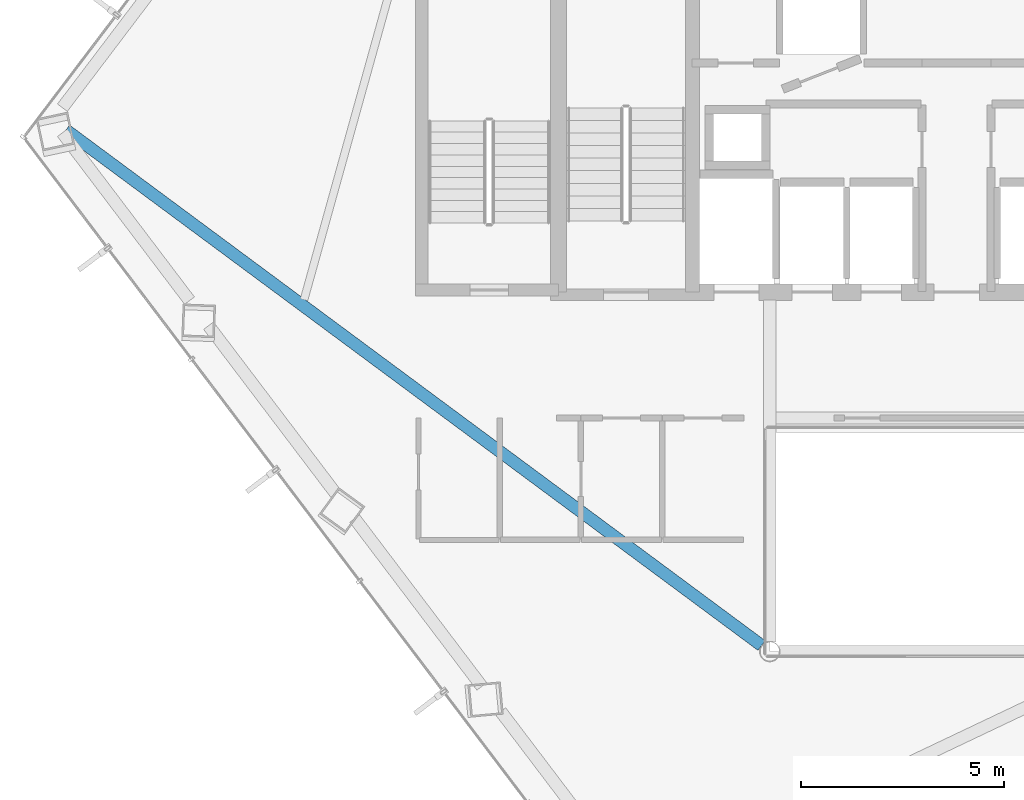
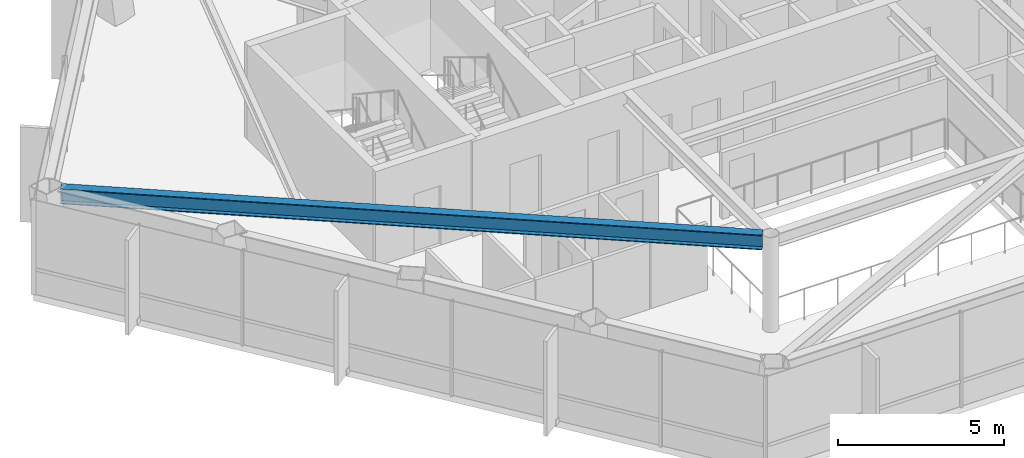
# One storey, part 5 of 29: 1 beam.
"""IFC4 building model written with IfcOpenShell, lengths in metres."""

import ifcopenshell
import ifcopenshell.guid

model = None  # the IFC model being written
_history = None  # IfcOwnerHistory: only IFC2X3 demands one
_inside = {}  # id of a spatial element -> (the spatial element, [elements in it])
_under = {}  # id of a project, library or spatial element -> (it, [spatial elements below it])
_declared = {}  # id of a project -> (the project, [libraries it declares])
_typed = {}  # id of a type object -> (the type object, [elements of that type])
_made_of = {}  # id of a material, layer set ... -> (it, [elements and type objects made of it])


def new_model(schema):
    """Start an empty IFC model of exactly this schema.

    Asked for "IFC4X3", IfcOpenShell would pick the latest addendum, in which some entities
    have other attributes; the version numbers below select the first issue.
    IFC2X3 requires an IfcOwnerHistory on every rooted entity: one is made here for all.
    """
    global model, _history
    if schema == "IFC4X3":
        model = ifcopenshell.file(schema_version=(4, 3, 0, 0))
    else:
        model = ifcopenshell.file(schema=schema)
    _inside.clear()
    _under.clear()
    _declared.clear()
    _typed.clear()
    _made_of.clear()
    _history = None
    if model.schema == "IFC2X3":
        org = make("IfcOrganization", Name="unknown")
        user = make(
            "IfcPersonAndOrganization",
            ThePerson=make("IfcPerson", FamilyName="unknown"),
            TheOrganization=org,
        )
        app = make(
            "IfcApplication",
            ApplicationDeveloper=org,
            Version="unknown",
            ApplicationFullName="unknown",
            ApplicationIdentifier="unknown",
        )
        _history = make(
            "IfcOwnerHistory",
            OwningUser=user,
            OwningApplication=app,
            ChangeAction="ADDED",
            CreationDate=0,
        )
    return model


def make(cls, **values):
    """One entity of the class cls with the attributes given. An attribute that is None is left unset."""
    return model.create_entity(
        cls, **{name: value for name, value in values.items() if value is not None}
    )


def rooted(cls, **values):
    """An entity with a GlobalId (a new one), such as an element, a storey or a relation."""
    return make(cls, GlobalId=ifcopenshell.guid.new(), OwnerHistory=_history, **values)


def si_unit(unit_type, name, prefix=None):
    """IfcSIUnit, for example si_unit("LENGTHUNIT", "METRE", prefix="MILLI")."""
    return make("IfcSIUnit", UnitType=unit_type, Prefix=prefix, Name=name)


def assignment(units):
    """IfcUnitAssignment: the units of a project."""
    return None if units is None else make("IfcUnitAssignment", Units=units)


def point(xyz):
    """IfcCartesianPoint."""
    return None if xyz is None else make("IfcCartesianPoint", Coordinates=xyz)


def direction(xyz):
    """IfcDirection."""
    return None if xyz is None else make("IfcDirection", DirectionRatios=xyz)


def frame(location, z_axis=None, x_axis=None):
    """IfcAxis2Placement3D, a coordinate frame: its origin and axes. An axis left out is left unset."""
    return make(
        "IfcAxis2Placement3D",
        Location=point(location),
        Axis=direction(z_axis),
        RefDirection=direction(x_axis),
    )


def frame_2d(location, x_axis=None):
    """IfcAxis2Placement2D, a coordinate frame in the plane: its origin and x axis."""
    return make(
        "IfcAxis2Placement2D", Location=point(location), RefDirection=direction(x_axis)
    )


def origin():
    """The frame at (0, 0, 0) with its axes left unset."""
    return frame((0.0, 0.0, 0.0))


def origin_2d():
    """The frame at (0, 0) in the plane with its x axis left unset."""
    return frame_2d((0.0, 0.0))


def place(relative_to, where):
    """IfcLocalPlacement: puts the frame where relative to a parent placement (None: the world)."""
    return make(
        "IfcLocalPlacement", PlacementRelTo=relative_to, RelativePlacement=where
    )


def context(
    kind, dimensions, precision=None, world=None, true_north=None, identifier=None
):
    """IfcGeometricRepresentationContext, for example the 3D "Model" context."""
    return make(
        "IfcGeometricRepresentationContext",
        ContextIdentifier=identifier,
        ContextType=kind,
        CoordinateSpaceDimension=dimensions,
        Precision=precision,
        WorldCoordinateSystem=world,
        TrueNorth=true_north,
    )


def subcontext(parent, identifier, kind, view, scale=None):
    """IfcGeometricRepresentationSubContext, for example "Body" below "Model"."""
    return make(
        "IfcGeometricRepresentationSubContext",
        ContextIdentifier=identifier,
        ContextType=kind,
        ParentContext=parent,
        TargetScale=scale,
        TargetView=view,
    )


def project(units=None, contexts=None):
    """IfcProject with its units and contexts."""
    return rooted(
        "IfcProject",
        Name="project",
        RepresentationContexts=contexts,
        UnitsInContext=assignment(units),
    )


def spatial(cls, under=None, at=None, **own):
    """A site, building, storey or space (cls), placed at a placement, below another one or the project."""
    s = rooted(cls, ObjectPlacement=at, **own)
    if under is not None:
        _under.setdefault(under.id(), (under, []))[1].append(s)
    return s


def profile(cls, at=None, kind="AREA", **sizes):
    """A parametric profile (cls). Its sizes go by their IFC names, for example OverallWidth=200.0."""
    return make(cls, ProfileType=kind, Position=at, **sizes)


def i_section(**sizes):
    """IfcIShapeProfileDef."""
    return profile("IfcIShapeProfileDef", **sizes)


def extrude(swept, where, along, depth):
    """IfcExtrudedAreaSolid: the profile swept, set in the frame where, extruded along a direction by depth."""
    return make(
        "IfcExtrudedAreaSolid",
        SweptArea=swept,
        Position=where,
        ExtrudedDirection=direction(along),
        Depth=depth,
    )


def shape(context_of_items, identifier, shape_type, items):
    """IfcShapeRepresentation: the items that make up one representation, for example the "Body"."""
    return make(
        "IfcShapeRepresentation",
        ContextOfItems=context_of_items,
        RepresentationIdentifier=identifier,
        RepresentationType=shape_type,
        Items=items,
    )


def material(Name=None, Category=None):
    """IfcMaterial."""
    return make("IfcMaterial", Name=Name, Category=Category)


def material_profile(
    of_material, cross_section, Name=None, Category=None, Priority=None
):
    """IfcMaterialProfile: a cross section and its material."""
    return make(
        "IfcMaterialProfile",
        Name=Name,
        Material=of_material,
        Profile=cross_section,
        Priority=Priority,
        Category=Category,
    )


def profile_set(profiles, Name=None, composite=None):
    """IfcMaterialProfileSet."""
    return make(
        "IfcMaterialProfileSet",
        Name=Name,
        MaterialProfiles=profiles,
        CompositeProfile=composite,
    )


def made_of(thing, what):
    """Note that an element or type object is made of a material, layer set ...; save() writes the relation."""
    if what is not None:
        _made_of.setdefault(what.id(), (what, []))[1].append(thing)
    return thing


def type_object(cls, material=None, **own):
    """A type object (cls), such as IfcWallType, which elements share."""
    return made_of(rooted(cls, **own), material)


def element(
    cls,
    number,
    at=None,
    inside=None,
    cuts=None,
    type_object=None,
    material=None,
    context=None,
    identifier="Body",
    shape_type=None,
    held_by="IfcProductDefinitionShape",
    body=None,
    shapes=None,
    **own,
):
    """One element of the class cls, such as IfcWall. Its Tag is "e" and its number.

    at: its placement. inside: the storey or other place that contains it. cuts: it is an
    opening in that element (IfcRelVoidsElement). A single representation is given by context,
    identifier, shape_type and body (its items); several are given by shapes. held_by: the class
    of the entity that holds the representations. save() writes the other relations.
    """
    e = rooted(cls, Tag="e%d" % number, ObjectPlacement=at, **own)
    if body is not None:
        shapes = [shape(context, identifier, shape_type, body)]
    if shapes is not None:
        e.Representation = make(held_by, Representations=shapes)
    if inside is not None:
        _inside.setdefault(inside.id(), (inside, []))[1].append(e)
    if cuts is not None:
        rooted(
            "IfcRelVoidsElement", RelatingBuildingElement=cuts, RelatedOpeningElement=e
        )
    if type_object is not None:
        _typed.setdefault(type_object.id(), (type_object, []))[1].append(e)
    return made_of(e, material)


def aggregate(whole, parts):
    """IfcRelAggregates: a whole, such as a stair, and the parts it consists of."""
    return rooted("IfcRelAggregates", RelatingObject=whole, RelatedObjects=parts)


def save(model, path):
    """Write the relations noted so far, then the file.

    IfcRelAggregates (storeys below a building ...), IfcRelContainedInSpatialStructure (elements
    in a storey), IfcRelDefinesByType, IfcRelAssociatesMaterial and IfcRelDeclares: one each for
    every whole, place, type object, material and project.
    """
    for whole, parts in _under.values():
        aggregate(whole, parts)
    for where, things in _inside.values():
        rooted(
            "IfcRelContainedInSpatialStructure",
            RelatedElements=things,
            RelatingStructure=where,
        )
    for kind, things in _typed.values():
        rooted("IfcRelDefinesByType", RelatedObjects=things, RelatingType=kind)
    for what, things in _made_of.values():
        rooted("IfcRelAssociatesMaterial", RelatedObjects=things, RelatingMaterial=what)
    for by, libraries in _declared.values():
        rooted("IfcRelDeclares", RelatingContext=by, RelatedDefinitions=libraries)
    model.write(path)


model = new_model("IFC4")

# Units and contexts
model_context = context("Model", 3, precision=1e-05, world=origin(), true_north=direction((0.0, 1.0)))
body_context = subcontext(model_context, "Body", "Model", "MODEL_VIEW")
ifc_project = project(units=[si_unit("LENGTHUNIT", "METRE"), si_unit("AREAUNIT", "SQUARE_METRE"), si_unit("VOLUMEUNIT", "CUBIC_METRE"), si_unit("PLANEANGLEUNIT", "RADIAN"), si_unit("MASSUNIT", "GRAM", prefix="KILO")], contexts=[model_context])

# Site, building, storey
site_placement = place(None, origin())
site = spatial("IfcSite", under=ifc_project, at=site_placement, CompositionType="ELEMENT")
building_placement = place(site_placement, origin())
building = spatial("IfcBuilding", under=site, at=building_placement, Name="Zarrinselat Tower", CompositionType="ELEMENT")
storey_placement = place(building_placement, frame((0.0, 0.0, 142.1201171875)))
storey = spatial("IfcBuildingStorey", under=building, at=storey_placement, Name="L34", CompositionType="ELEMENT", Elevation=142.1201171875)

# Beam
ifc_material = material(Name="Steel S355J2", Category="steel")
ifc_material_profile = material_profile(ifc_material, i_section(OverallWidth=0.300048828125, OverallDepth=0.550048828125, WebThickness=0.014892578125, FlangeThickness=0.029052734375, at=origin_2d()), Name="HEB 550")
ifc_profile_set = profile_set([ifc_material_profile], Name="Steel S355J2")
beam_type = type_object("IfcBeamType", Name="BM-HEB550", PredefinedType="BEAM", material=ifc_profile_set)
beam_placement = place(storey_placement, frame((16.47021484375, 37.243896484375, 3.224853515625), z_axis=(0.803400361154, -0.595439215787, 0.0), x_axis=(0.595439215787, 0.803400361154, 0.0)))
element("IfcBeam", 1, at=beam_placement, inside=storey, type_object=beam_type, Name="L34 Radial Primary Girder RG06", PredefinedType="BEAM", context=body_context, shape_type="SweptSolid", body=[
    extrude(i_section(OverallWidth=0.300048828125, OverallDepth=0.550048828125, WebThickness=0.014892578125, FlangeThickness=0.029052734375, at=origin_2d()), origin(), (0.0, 0.0, 1.0), 21.320556640625),
])

save(model, "model.ifc")
